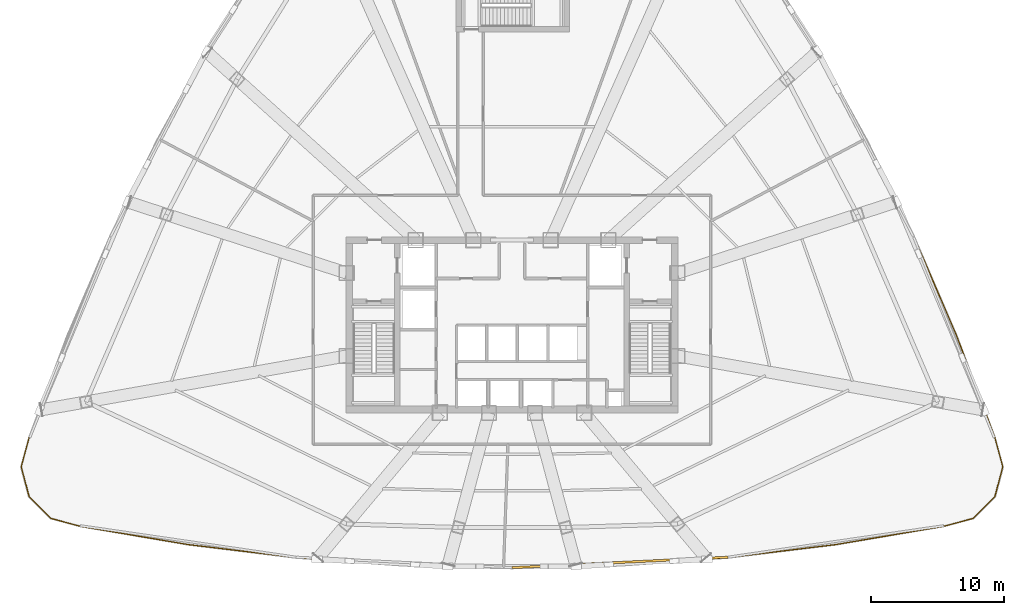
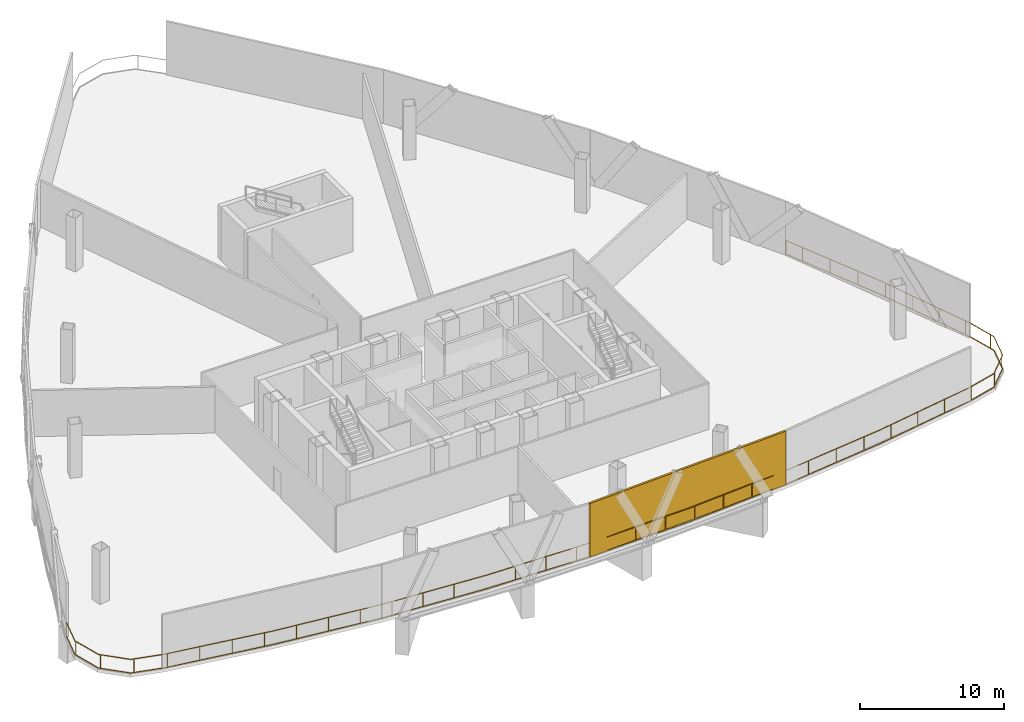
# One storey, part 10 of 14: 1 railing, 1 shading device.
"""IFC4 building model written with IfcOpenShell, lengths in metres."""

from ifc_helpers import new_model, si_unit, direction, frame, origin, origin_2d, place, context, subcontext, project, spatial, rectangle, extrude, source, transform, mapped, material, layer, layer_set, type_object, element, save


model = new_model("IFC4")

# Units and contexts
model_context = context("Model", 3, precision=1e-05, world=origin(), true_north=direction((0.0, 1.0)))
body_context = subcontext(model_context, "Body", "Model", "MODEL_VIEW")
ifc_project = project(units=[si_unit("LENGTHUNIT", "METRE"), si_unit("AREAUNIT", "SQUARE_METRE"), si_unit("VOLUMEUNIT", "CUBIC_METRE"), si_unit("PLANEANGLEUNIT", "RADIAN"), si_unit("MASSUNIT", "GRAM", prefix="KILO"), si_unit("THERMODYNAMICTEMPERATUREUNIT", "KELVIN"), si_unit("POWERUNIT", "WATT")], contexts=[model_context])

# Site, building, storey
site_placement = place(None, origin())
site = spatial("IfcSite", under=ifc_project, at=site_placement, CompositionType="ELEMENT")
building_placement = place(site_placement, origin())
building = spatial("IfcBuilding", under=site, at=building_placement, Name="Yunzhuo Pagoda Commons", CompositionType="ELEMENT")
storey_placement = place(building_placement, frame((0.0, 0.0, 224.81005859375)))
storey = spatial("IfcBuildingStorey", under=building, at=storey_placement, Name="L56", CompositionType="ELEMENT", Elevation=224.81005859375)

# Railing
ifc_material = material(Name="Anodized aluminium 6063-T6", Category="aluminium")
railing_type = type_object("IfcRailingType", Name="RL-PRT1 Wind Portal & Refuge Guardrail 1200", PredefinedType="GUARDRAIL", material=ifc_material)
railing_placement = place(storey_placement, frame((11.81298828125, 25.455322265625, 0.0)))
element("IfcRailing", 1, at=railing_placement, inside=storey, type_object=railing_type, Name="L56 refuge perimeter guardrail A", PredefinedType="GUARDRAIL", context=body_context, shape_type="SweptSolid", body=[
    extrude(rectangle(XDim=0.048095703125, YDim=0.048095703125, at=origin_2d()), frame((0.0, 0.0, 1.17578125), z_axis=(-0.264024791196, -0.964515893925, 0.0), x_axis=(0.964515893925, -0.264024791196, 0.0)), (0.0, 0.0, 1.0), 2.32177734375),
    extrude(rectangle(XDim=0.048095703125, YDim=0.048095703125, at=origin_2d()), frame((0.0, 0.0, 0.02392578125), z_axis=(-0.264024791196, -0.964515893925, 0.0), x_axis=(0.964515893925, -0.264024791196, 0.0)), (0.0, 0.0, 1.0), 2.32177734375),
    extrude(rectangle(XDim=0.048095703125, YDim=0.048095703125, at=origin_2d()), frame((-0.613037109375, -2.239501953125, 1.17578125), z_axis=(0.255415252451, -0.966831447986, 0.0), x_axis=(0.966831447986, 0.255415252451, 0.0)), (0.0, 0.0, 1.0), 2.31982421875),
    extrude(rectangle(XDim=0.048095703125, YDim=0.048095703125, at=origin_2d()), frame((-0.613037109375, -2.239501953125, 0.02392578125), z_axis=(0.255415252451, -0.966831447986, 0.0), x_axis=(0.966831447986, 0.255415252451, 0.0)), (0.0, 0.0, 1.0), 2.31982421875),
    extrude(rectangle(XDim=0.048095703125, YDim=0.048095703125, at=origin_2d()), frame((-0.0205078125, -4.482421875, 1.17578125), z_axis=(0.706264361494, -0.707948198446, 0.0), x_axis=(0.707948198446, 0.706264361494, 0.0)), (0.0, 0.0, 1.0), 2.31982421875),
    extrude(rectangle(XDim=0.048095703125, YDim=0.048095703125, at=origin_2d()), frame((-0.0205078125, -4.482421875, 0.02392578125), z_axis=(0.706264361494, -0.707948198446, 0.0), x_axis=(0.707948198446, 0.706264361494, 0.0)), (0.0, 0.0, 1.0), 2.31982421875),
    extrude(rectangle(XDim=0.048095703125, YDim=0.048095703125, at=origin_2d()), frame((1.617919921875, -6.124755859375, 1.17578125), z_axis=(0.966081193774, -0.258238508044, 0.0), x_axis=(0.258238508044, 0.966081193774, 0.0)), (0.0, 0.0, 1.0), 2.322021484375),
    extrude(rectangle(XDim=0.048095703125, YDim=0.048095703125, at=origin_2d()), frame((1.617919921875, -6.124755859375, 0.02392578125), z_axis=(0.966081193774, -0.258238508044, 0.0), x_axis=(0.258238508044, 0.966081193774, 0.0)), (0.0, 0.0, 1.0), 2.322021484375),
    extrude(rectangle(XDim=0.048095703125, YDim=0.048095703125, at=origin_2d()), frame((3.861083984375, -6.724365234375, 1.17578125), z_axis=(0.986026409821, -0.166589072679, 0.0), x_axis=(0.166589072679, 0.986026409821, 0.0)), (0.0, 0.0, 1.0), 8.20556640625),
    extrude(rectangle(XDim=0.048095703125, YDim=0.048095703125, at=origin_2d()), frame((3.861083984375, -6.724365234375, 0.02392578125), z_axis=(0.986026409821, -0.166589072679, 0.0), x_axis=(0.166589072679, 0.986026409821, 0.0)), (0.0, 0.0, 1.0), 8.20556640625),
    extrude(rectangle(XDim=0.048095703125, YDim=0.048095703125, at=origin_2d()), frame((11.951904296875, -8.09130859375, 1.17578125), z_axis=(0.992848580212, -0.119380470647, 0.0), x_axis=(0.119380470647, 0.992848580212, 0.0)), (0.0, 0.0, 1.0), 8.1435546875),
    extrude(rectangle(XDim=0.048095703125, YDim=0.048095703125, at=origin_2d()), frame((11.951904296875, -8.09130859375, 0.02392578125), z_axis=(0.992848580212, -0.119380470647, 0.0), x_axis=(0.119380470647, 0.992848580212, 0.0)), (0.0, 0.0, 1.0), 8.1435546875),
    extrude(rectangle(XDim=0.048095703125, YDim=0.048095703125, at=origin_2d()), frame((20.037109375, -9.0634765625, 1.17578125), z_axis=(0.997429388385, -0.07165622922, 0.0), x_axis=(0.07165622922, 0.997429388385, 0.0)), (0.0, 0.0, 1.0), 8.0986328125),
    extrude(rectangle(XDim=0.048095703125, YDim=0.048095703125, at=origin_2d()), frame((20.037109375, -9.0634765625, 0.02392578125), z_axis=(0.997429388385, -0.07165622922, 0.0), x_axis=(0.07165622922, 0.997429388385, 0.0)), (0.0, 0.0, 1.0), 8.0986328125),
    extrude(rectangle(XDim=0.048095703125, YDim=0.048095703125, at=origin_2d()), frame((28.114990234375, -9.643798828125, 1.17578125), z_axis=(0.999715387443, -0.023856741393, 0.0), x_axis=(0.023856741393, 0.999715387443, 0.0)), (0.0, 0.0, 1.0), 8.07421875),
    extrude(rectangle(XDim=0.048095703125, YDim=0.048095703125, at=origin_2d()), frame((28.114990234375, -9.643798828125, 0.02392578125), z_axis=(0.999715387443, -0.023856741393, 0.0), x_axis=(0.023856741393, 0.999715387443, 0.0)), (0.0, 0.0, 1.0), 8.07421875),
    extrude(rectangle(XDim=0.048095703125, YDim=0.048095703125, at=origin_2d()), frame((36.18701171875, -9.83642578125, 1.17578125), z_axis=(0.999715387443, 0.023856741393, 0.0), x_axis=(-0.023856741393, 0.999715387443, 0.0)), (0.0, 0.0, 1.0), 8.07421875),
    extrude(rectangle(XDim=0.048095703125, YDim=0.048095703125, at=origin_2d()), frame((36.18701171875, -9.83642578125, 0.02392578125), z_axis=(0.999715387443, 0.023856741393, 0.0), x_axis=(-0.023856741393, 0.999715387443, 0.0)), (0.0, 0.0, 1.0), 8.07421875),
    extrude(rectangle(XDim=0.048095703125, YDim=0.048095703125, at=origin_2d()), frame((44.259033203125, -9.643798828125, 1.17578125), z_axis=(0.997429388385, 0.07165622922, 0.0), x_axis=(-0.07165622922, 0.997429388385, 0.0)), (0.0, 0.0, 1.0), 8.0986328125),
    extrude(rectangle(XDim=0.048095703125, YDim=0.048095703125, at=origin_2d()), frame((44.259033203125, -9.643798828125, 0.02392578125), z_axis=(0.997429388385, 0.07165622922, 0.0), x_axis=(-0.07165622922, 0.997429388385, 0.0)), (0.0, 0.0, 1.0), 8.0986328125),
    extrude(rectangle(XDim=0.048095703125, YDim=0.048095703125, at=origin_2d()), frame((52.3369140625, -9.0634765625, 1.17578125), z_axis=(0.992848580212, 0.119380470647, 0.0), x_axis=(-0.119380470647, 0.992848580212, 0.0)), (0.0, 0.0, 1.0), 8.1435546875),
    extrude(rectangle(XDim=0.048095703125, YDim=0.048095703125, at=origin_2d()), frame((52.3369140625, -9.0634765625, 0.02392578125), z_axis=(0.992848580212, 0.119380470647, 0.0), x_axis=(-0.119380470647, 0.992848580212, 0.0)), (0.0, 0.0, 1.0), 8.1435546875),
    extrude(rectangle(XDim=0.048095703125, YDim=0.048095703125, at=origin_2d()), frame((60.422119140625, -8.09130859375, 1.17578125), z_axis=(0.986026409821, 0.166589072679, 0.0), x_axis=(-0.166589072679, 0.986026409821, 0.0)), (0.0, 0.0, 1.0), 8.20556640625),
    extrude(rectangle(XDim=0.048095703125, YDim=0.048095703125, at=origin_2d()), frame((60.422119140625, -8.09130859375, 0.02392578125), z_axis=(0.986026409821, 0.166589072679, 0.0), x_axis=(-0.166589072679, 0.986026409821, 0.0)), (0.0, 0.0, 1.0), 8.20556640625),
    extrude(rectangle(XDim=0.048095703125, YDim=0.048095703125, at=origin_2d()), frame((68.512939453125, -6.724365234375, 1.17578125), z_axis=(0.966081193774, 0.258238508044, 0.0), x_axis=(-0.258238508044, 0.966081193774, 0.0)), (0.0, 0.0, 1.0), 2.322021484375),
    extrude(rectangle(XDim=0.048095703125, YDim=0.048095703125, at=origin_2d()), frame((68.512939453125, -6.724365234375, 0.02392578125), z_axis=(0.966081193774, 0.258238508044, 0.0), x_axis=(-0.258238508044, 0.966081193774, 0.0)), (0.0, 0.0, 1.0), 2.322021484375),
    extrude(rectangle(XDim=0.048095703125, YDim=0.048095703125, at=origin_2d()), frame((70.756103515625, -6.124755859375, 1.17578125), z_axis=(0.706264361494, 0.707948198446, 0.0), x_axis=(-0.707948198446, 0.706264361494, 0.0)), (0.0, 0.0, 1.0), 2.31982421875),
    extrude(rectangle(XDim=0.048095703125, YDim=0.048095703125, at=origin_2d()), frame((70.756103515625, -6.124755859375, 0.02392578125), z_axis=(0.706264361494, 0.707948198446, 0.0), x_axis=(-0.707948198446, 0.706264361494, 0.0)), (0.0, 0.0, 1.0), 2.31982421875),
    extrude(rectangle(XDim=0.048095703125, YDim=0.048095703125, at=origin_2d()), frame((72.39453125, -4.482421875, 1.17578125), z_axis=(0.255415252451, 0.966831447986, 0.0), x_axis=(-0.966831447986, 0.255415252451, 0.0)), (0.0, 0.0, 1.0), 2.31982421875),
    extrude(rectangle(XDim=0.048095703125, YDim=0.048095703125, at=origin_2d()), frame((72.39453125, -4.482421875, 0.02392578125), z_axis=(0.255415252451, 0.966831447986, 0.0), x_axis=(-0.966831447986, 0.255415252451, 0.0)), (0.0, 0.0, 1.0), 2.31982421875),
    extrude(rectangle(XDim=0.048095703125, YDim=0.048095703125, at=origin_2d()), frame((72.987060546875, -2.239501953125, 1.17578125), z_axis=(-0.264024791196, 0.964515893925, 0.0), x_axis=(-0.964515893925, -0.264024791196, 0.0)), (0.0, 0.0, 1.0), 2.32177734375),
    extrude(rectangle(XDim=0.048095703125, YDim=0.048095703125, at=origin_2d()), frame((72.987060546875, -2.239501953125, 0.02392578125), z_axis=(-0.264024791196, 0.964515893925, 0.0), x_axis=(-0.964515893925, -0.264024791196, 0.0)), (0.0, 0.0, 1.0), 2.32177734375),
    extrude(rectangle(XDim=0.048095703125, YDim=0.048095703125, at=origin_2d()), frame((72.3740234375, 0.0, 1.17578125), z_axis=(-0.351928582007, 0.936026854939, 0.0), x_axis=(-0.936026854939, -0.351928582007, 0.0)), (0.0, 0.0, 1.0), 8.14013671875),
    extrude(rectangle(XDim=0.048095703125, YDim=0.048095703125, at=origin_2d()), frame((72.3740234375, 0.0, 0.02392578125), z_axis=(-0.351928582007, 0.936026854939, 0.0), x_axis=(-0.936026854939, -0.351928582007, 0.0)), (0.0, 0.0, 1.0), 8.14013671875),
    extrude(rectangle(XDim=0.048095703125, YDim=0.048095703125, at=origin_2d()), frame((69.50927734375, 7.619384765625, 1.17578125), z_axis=(-0.39651127941, 0.918029849896, 0.0), x_axis=(-0.918029849896, -0.39651127941, 0.0)), (0.0, 0.0, 1.0), 8.07763671875),
    extrude(rectangle(XDim=0.048095703125, YDim=0.048095703125, at=origin_2d()), frame((69.50927734375, 7.619384765625, 0.02392578125), z_axis=(-0.39651127941, 0.918029849896, 0.0), x_axis=(-0.918029849896, -0.39651127941, 0.0)), (0.0, 0.0, 1.0), 8.07763671875),
    extrude(rectangle(XDim=0.0419921875, YDim=0.0419921875, at=origin_2d()), origin(), (0.0, 0.0, 1.0), 1.15185546875),
    extrude(rectangle(XDim=0.0419921875, YDim=0.0419921875, at=origin_2d()), frame((-0.593017578125, -2.31494140625, 0.0)), (0.0, 0.0, 1.0), 1.15185546875),
    extrude(rectangle(XDim=0.0419921875, YDim=0.0419921875, at=origin_2d()), frame((0.09130859375, -4.594482421875, 0.0)), (0.0, 0.0, 1.0), 1.15185546875),
    extrude(rectangle(XDim=0.0419921875, YDim=0.0419921875, at=origin_2d()), frame((1.84814453125, -6.186279296875, 0.0)), (0.0, 0.0, 1.0), 1.15185546875),
    extrude(rectangle(XDim=0.0419921875, YDim=0.0419921875, at=origin_2d()), frame((4.173095703125, -6.777099609375, 0.0)), (0.0, 0.0, 1.0), 1.15185546875),
    extrude(rectangle(XDim=0.0419921875, YDim=0.0419921875, at=origin_2d()), frame((6.53955078125, -7.177001953125, 0.0)), (0.0, 0.0, 1.0), 1.15185546875),
    extrude(rectangle(XDim=0.0419921875, YDim=0.0419921875, at=origin_2d()), frame((8.906005859375, -7.57666015625, 0.0)), (0.0, 0.0, 1.0), 1.15185546875),
    extrude(rectangle(XDim=0.0419921875, YDim=0.0419921875, at=origin_2d()), frame((11.2724609375, -7.9765625, 0.0)), (0.0, 0.0, 1.0), 1.15185546875),
    extrude(rectangle(XDim=0.0419921875, YDim=0.0419921875, at=origin_2d()), frame((13.650634765625, -8.295654296875, 0.0)), (0.0, 0.0, 1.0), 1.15185546875),
    extrude(rectangle(XDim=0.0419921875, YDim=0.0419921875, at=origin_2d()), frame((16.033447265625, -8.58203125, 0.0)), (0.0, 0.0, 1.0), 1.15185546875),
    extrude(rectangle(XDim=0.0419921875, YDim=0.0419921875, at=origin_2d()), frame((18.416259765625, -8.86865234375, 0.0)), (0.0, 0.0, 1.0), 1.15185546875),
    extrude(rectangle(XDim=0.0419921875, YDim=0.0419921875, at=origin_2d()), frame((20.802734375, -9.118408203125, 0.0)), (0.0, 0.0, 1.0), 1.15185546875),
    extrude(rectangle(XDim=0.0419921875, YDim=0.0419921875, at=origin_2d()), frame((23.196533203125, -9.29052734375, 0.0)), (0.0, 0.0, 1.0), 1.15185546875),
    extrude(rectangle(XDim=0.0419921875, YDim=0.0419921875, at=origin_2d()), frame((25.59033203125, -9.46240234375, 0.0)), (0.0, 0.0, 1.0), 1.15185546875),
    extrude(rectangle(XDim=0.0419921875, YDim=0.0419921875, at=origin_2d()), frame((30.38330078125, -9.697998046875, 0.0)), (0.0, 0.0, 1.0), 1.15185546875),
    extrude(rectangle(XDim=0.0419921875, YDim=0.0419921875, at=origin_2d()), frame((32.782470703125, -9.755126953125, 0.0)), (0.0, 0.0, 1.0), 1.15185546875),
    extrude(rectangle(XDim=0.0419921875, YDim=0.0419921875, at=origin_2d()), frame((35.181884765625, -9.8125, 0.0)), (0.0, 0.0, 1.0), 1.15185546875),
    extrude(rectangle(XDim=0.0419921875, YDim=0.0419921875, at=origin_2d()), frame((37.5810546875, -9.80322265625, 0.0)), (0.0, 0.0, 1.0), 1.15185546875),
    extrude(rectangle(XDim=0.0419921875, YDim=0.0419921875, at=origin_2d()), frame((39.98046875, -9.745849609375, 0.0)), (0.0, 0.0, 1.0), 1.15185546875),
    extrude(rectangle(XDim=0.0419921875, YDim=0.0419921875, at=origin_2d()), frame((42.3798828125, -9.688720703125, 0.0)), (0.0, 0.0, 1.0), 1.15185546875),
    extrude(rectangle(XDim=0.0419921875, YDim=0.0419921875, at=origin_2d()), frame((44.77783203125, -9.6064453125, 0.0)), (0.0, 0.0, 1.0), 1.15185546875),
    extrude(rectangle(XDim=0.0419921875, YDim=0.0419921875, at=origin_2d()), frame((47.171630859375, -9.4345703125, 0.0)), (0.0, 0.0, 1.0), 1.15185546875),
    extrude(rectangle(XDim=0.0419921875, YDim=0.0419921875, at=origin_2d()), frame((49.565673828125, -9.262451171875, 0.0)), (0.0, 0.0, 1.0), 1.15185546875),
    extrude(rectangle(XDim=0.0419921875, YDim=0.0419921875, at=origin_2d()), frame((51.95947265625, -9.090576171875, 0.0)), (0.0, 0.0, 1.0), 1.15185546875),
    extrude(rectangle(XDim=0.0419921875, YDim=0.0419921875, at=origin_2d()), frame((54.343994140625, -8.822265625, 0.0)), (0.0, 0.0, 1.0), 1.15185546875),
    extrude(rectangle(XDim=0.0419921875, YDim=0.0419921875, at=origin_2d()), frame((56.726806640625, -8.53564453125, 0.0)), (0.0, 0.0, 1.0), 1.15185546875),
    extrude(rectangle(XDim=0.0419921875, YDim=0.0419921875, at=origin_2d()), frame((59.109619140625, -8.2490234375, 0.0)), (0.0, 0.0, 1.0), 1.15185546875),
    extrude(rectangle(XDim=0.0419921875, YDim=0.0419921875, at=origin_2d()), frame((61.485107421875, -7.91162109375, 0.0)), (0.0, 0.0, 1.0), 1.15185546875),
    extrude(rectangle(XDim=0.0419921875, YDim=0.0419921875, at=origin_2d()), frame((63.8515625, -7.511962890625, 0.0)), (0.0, 0.0, 1.0), 1.15185546875),
    extrude(rectangle(XDim=0.0419921875, YDim=0.0419921875, at=origin_2d()), frame((66.218017578125, -7.112060546875, 0.0)), (0.0, 0.0, 1.0), 1.15185546875),
    extrude(rectangle(XDim=0.0419921875, YDim=0.0419921875, at=origin_2d()), frame((68.5830078125, -6.70556640625, 0.0)), (0.0, 0.0, 1.0), 1.15185546875),
    extrude(rectangle(XDim=0.0419921875, YDim=0.0419921875, at=origin_2d()), frame((70.862548828125, -6.01806640625, 0.0)), (0.0, 0.0, 1.0), 1.15185546875),
    extrude(rectangle(XDim=0.0419921875, YDim=0.0419921875, at=origin_2d()), frame((72.453369140625, -4.25927734375, 0.0)), (0.0, 0.0, 1.0), 1.15185546875),
    extrude(rectangle(XDim=0.0419921875, YDim=0.0419921875, at=origin_2d()), frame((72.905029296875, -1.939697265625, 0.0)), (0.0, 0.0, 1.0), 1.15185546875),
    extrude(rectangle(XDim=0.0419921875, YDim=0.0419921875, at=origin_2d()), frame((72.237060546875, 0.3642578125, 0.0)), (0.0, 0.0, 1.0), 1.15185546875),
    extrude(rectangle(XDim=0.0419921875, YDim=0.0419921875, at=origin_2d()), frame((71.392578125, 2.610595703125, 0.0)), (0.0, 0.0, 1.0), 1.15185546875),
    extrude(rectangle(XDim=0.0419921875, YDim=0.0419921875, at=origin_2d()), frame((70.5478515625, 4.857177734375, 0.0)), (0.0, 0.0, 1.0), 1.15185546875),
    extrude(rectangle(XDim=0.0419921875, YDim=0.0419921875, at=origin_2d()), frame((69.703125, 7.103515625, 0.0)), (0.0, 0.0, 1.0), 1.15185546875),
    extrude(rectangle(XDim=0.0419921875, YDim=0.0419921875, at=origin_2d()), frame((68.776123046875, 9.316650390625, 0.0)), (0.0, 0.0, 1.0), 1.15185546875),
    extrude(rectangle(XDim=0.0419921875, YDim=0.0419921875, at=origin_2d()), frame((67.824462890625, 11.52001953125, 0.0)), (0.0, 0.0, 1.0), 1.15185546875),
    extrude(rectangle(XDim=0.0419921875, YDim=0.0419921875, at=origin_2d()), frame((66.872802734375, 13.723388671875, 0.0)), (0.0, 0.0, 1.0), 1.15185546875),
    extrude(rectangle(XDim=0.0419921875, YDim=0.0419921875, at=origin_2d()), frame((66.306396484375, 15.034912109375, 0.0)), (0.0, 0.0, 1.0), 1.15185546875),
])

# Shading device
ifc_layer = layer(ifc_material, 0.159912109375)
ifc_layer_set = layer_set([ifc_layer], Name="Anodized aluminium 6063-T6")
shading_device_type = type_object("IfcShadingDeviceType", Name="SH-SCR1 Stormproof Refuge Louvre Screen", PredefinedType="JALOUSIE", material=ifc_layer_set)
shared_shape = source(origin(), body_context, "Body", "SweptSolid", [
    extrude(rectangle(XDim=16.182861328125, YDim=0.159912109375, at=origin_2d()), origin(), (0.0, 0.0, 1.0), 4.5400390625),
])
shading_device_placement = place(storey_placement, frame((56.095947265625, 16.033203125, 0.0), z_axis=(0.0, 0.0, 1.0), x_axis=(0.998818043775, 0.04860571396, 0.0)))
element("IfcShadingDevice", 2, at=shading_device_placement, inside=storey, type_object=shading_device_type, Name="L56 stormproof refuge louvre screen F1.3", PredefinedType="JALOUSIE", context=body_context, shape_type="MappedRepresentation", body=[
    mapped(shared_shape, transform((0.0, 0.0, 0.0), scale=1.0)),
])

save(model, "model.ifc")
